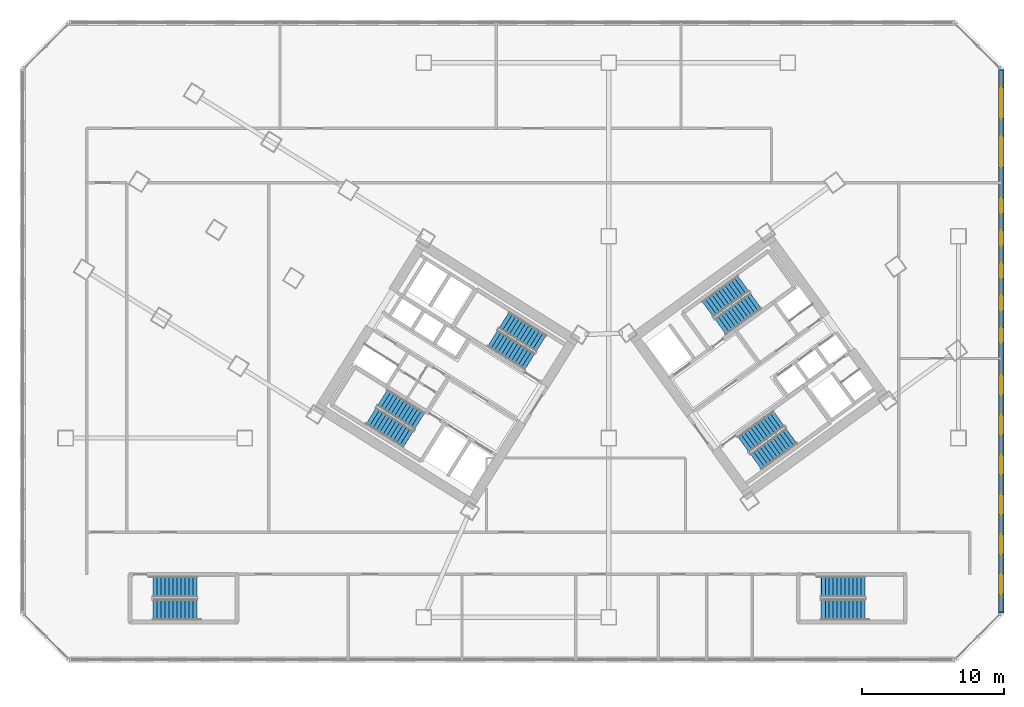
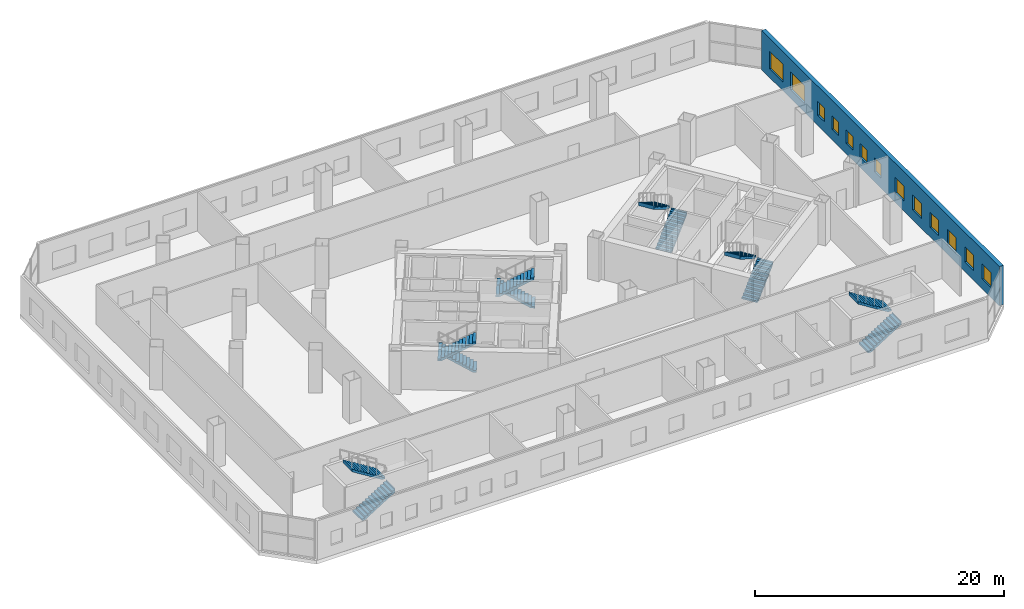
# One storey, part 15 of 22: 13 windows, 12 stair flights, 1 wall, 13 openings, 6 elements without a shape of their own.
"""IFC4 building model written with IfcOpenShell, lengths in metres."""

from ifc_helpers import new_model, si_unit, direction, frame, frame_2d, origin, place, context, subcontext, project, spatial, polyline, rectangle, outline, extrude, source, transform, mapped, material, layer, layer_set, type_object, element, fill, aggregate, save


model = new_model("IFC4")

# Units and contexts
model_context = context("Model", 3, precision=1e-05, world=origin(), true_north=direction((0.0, 1.0)))
body_context = subcontext(model_context, "Body", "Model", "MODEL_VIEW")
ifc_project = project(units=[si_unit("LENGTHUNIT", "METRE"), si_unit("AREAUNIT", "SQUARE_METRE"), si_unit("VOLUMEUNIT", "CUBIC_METRE"), si_unit("PLANEANGLEUNIT", "RADIAN"), si_unit("MASSUNIT", "GRAM", prefix="KILO")], contexts=[model_context])

# Site, building, storey
site_placement = place(None, origin())
site = spatial("IfcSite", under=ifc_project, at=site_placement, CompositionType="ELEMENT")
building_placement = place(site_placement, origin())
building = spatial("IfcBuilding", under=site, at=building_placement, Name="Tlacorven Tower", CompositionType="ELEMENT")
storey_placement = place(building_placement, frame((0.0, 0.0, 14.39990234375)))
storey = spatial("IfcBuildingStorey", under=building, at=storey_placement, Name="L03", CompositionType="ELEMENT", Elevation=14.39990234375)

# Wall, openings, windows
ifc_material_1 = material(Name="Precast concrete C45/55", Category="concrete")
ifc_layer = layer(ifc_material_1, 0.3798828125)
ifc_layer_set = layer_set([ifc_layer], Name="Precast concrete C45/55")
wall_type = type_object("IfcWallType", Name="WL-EXT-380", PredefinedType="STANDARD", material=ifc_layer_set)
wall_placement = place(storey_placement, frame((70.39990234375, 43.1171875, 0.0), z_axis=(0.0, 0.0, 1.0), x_axis=(0.0, -1.0, 0.0)))
wall = element("IfcWall", 1, at=wall_placement, inside=storey, type_object=wall_type, Name="L03 Podium Masonry-Frame Facade Wall 6", PredefinedType="STANDARD", context=body_context, shape_type="SweptSolid", body=[
    extrude(rectangle(XDim=38.234375, YDim=0.3798828125, at=frame_2d((19.1171875, 0.0))), origin(), (0.0, 0.0, 1.0), 3.85009765625),
])
opening_1_placement = place(wall_placement, frame((1.25927734375, 0.0, 0.85009765625)))
opening_1 = element("IfcOpeningElement", 2, at=opening_1_placement, cuts=wall, Name="Opening WN14", PredefinedType="OPENING", context=body_context, shape_type="SweptSolid", body=[
    extrude(rectangle(XDim=2.199951171875, YDim=1.75, at=frame_2d((1.10009765625, 0.875))), frame((0.0, 0.199951171875, 0.0), z_axis=(0.0, -1.0, 0.0), x_axis=(1.0, 0.0, 0.0)), (0.0, 0.0, 1.0), 0.39990234375),
])
opening_2_placement = place(wall_placement, frame((4.677978515625, 0.0, 0.85009765625)))
opening_2 = element("IfcOpeningElement", 3, at=opening_2_placement, cuts=wall, Name="Opening WN14", PredefinedType="OPENING", context=body_context, shape_type="SweptSolid", body=[
    extrude(rectangle(XDim=2.199951171875, YDim=1.75, at=frame_2d((1.10009765625, 0.875))), frame((0.0, 0.199951171875, 0.0), z_axis=(0.0, -1.0, 0.0), x_axis=(1.0, 0.0, 0.0)), (0.0, 0.0, 1.0), 0.39990234375),
])
opening_3_placement = place(wall_placement, frame((9.0361328125, 0.0, 1.0)))
opening_3 = element("IfcOpeningElement", 4, at=opening_3_placement, cuts=wall, Name="Opening WN16", PredefinedType="OPENING", context=body_context, shape_type="SweptSolid", body=[
    extrude(rectangle(XDim=1.10009765625, YDim=1.35009765625, at=frame_2d((0.550048828125, 0.675048828125))), frame((0.0, 0.199951171875, 0.0), z_axis=(0.0, -1.0, 0.0), x_axis=(1.0, 0.0, 0.0)), (0.0, 0.0, 1.0), 0.39990234375),
])
opening_4_placement = place(wall_placement, frame((11.314208984375, 0.0, 1.0)))
opening_4 = element("IfcOpeningElement", 5, at=opening_4_placement, cuts=wall, Name="Opening WN16", PredefinedType="OPENING", context=body_context, shape_type="SweptSolid", body=[
    extrude(rectangle(XDim=1.10009765625, YDim=1.35009765625, at=frame_2d((0.550048828125, 0.675048828125))), frame((0.0, 0.199951171875, 0.0), z_axis=(0.0, -1.0, 0.0), x_axis=(1.0, 0.0, 0.0)), (0.0, 0.0, 1.0), 0.39990234375),
])
opening_5_placement = place(wall_placement, frame((13.59228515625, 0.0, 1.0)))
opening_5 = element("IfcOpeningElement", 6, at=opening_5_placement, cuts=wall, Name="Opening WN16", PredefinedType="OPENING", context=body_context, shape_type="SweptSolid", body=[
    extrude(rectangle(XDim=1.10009765625, YDim=1.35009765625, at=frame_2d((0.550048828125, 0.675048828125))), frame((0.0, 0.199951171875, 0.0), z_axis=(0.0, -1.0, 0.0), x_axis=(1.0, 0.0, 0.0)), (0.0, 0.0, 1.0), 0.39990234375),
])
opening_6_placement = place(wall_placement, frame((15.8701171875, 0.0, 1.0)))
opening_6 = element("IfcOpeningElement", 7, at=opening_6_placement, cuts=wall, Name="Opening WN16", PredefinedType="OPENING", context=body_context, shape_type="SweptSolid", body=[
    extrude(rectangle(XDim=1.10009765625, YDim=1.35009765625, at=frame_2d((0.550048828125, 0.675048828125))), frame((0.0, 0.199951171875, 0.0), z_axis=(0.0, -1.0, 0.0), x_axis=(1.0, 0.0, 0.0)), (0.0, 0.0, 1.0), 0.39990234375),
])
opening_7_placement = place(wall_placement, frame((18.148193359375, 0.0, 1.0)))
opening_7 = element("IfcOpeningElement", 8, at=opening_7_placement, cuts=wall, Name="Opening WN16", PredefinedType="OPENING", context=body_context, shape_type="SweptSolid", body=[
    extrude(rectangle(XDim=1.10009765625, YDim=1.35009765625, at=frame_2d((0.550048828125, 0.675048828125))), frame((0.0, 0.199951171875, 0.0), z_axis=(0.0, -1.0, 0.0), x_axis=(1.0, 0.0, 0.0)), (0.0, 0.0, 1.0), 0.39990234375),
])
opening_8_placement = place(wall_placement, frame((21.49609375, 0.0, 0.949951171875)))
opening_8 = element("IfcOpeningElement", 9, at=opening_8_placement, cuts=wall, Name="Opening WN15", PredefinedType="OPENING", context=body_context, shape_type="SweptSolid", body=[
    extrude(rectangle(XDim=1.39990234375, YDim=1.5, at=frame_2d((0.699951171875, 0.75))), frame((0.0, 0.199951171875, 0.0), z_axis=(0.0, -1.0, 0.0), x_axis=(1.0, 0.0, 0.0)), (0.0, 0.0, 1.0), 0.39990234375),
])
opening_9_placement = place(wall_placement, frame((24.2939453125, 0.0, 0.949951171875)))
opening_9 = element("IfcOpeningElement", 10, at=opening_9_placement, cuts=wall, Name="Opening WN15", PredefinedType="OPENING", context=body_context, shape_type="SweptSolid", body=[
    extrude(rectangle(XDim=1.39990234375, YDim=1.5, at=frame_2d((0.699951171875, 0.75))), frame((0.0, 0.199951171875, 0.0), z_axis=(0.0, -1.0, 0.0), x_axis=(1.0, 0.0, 0.0)), (0.0, 0.0, 1.0), 0.39990234375),
])
opening_10_placement = place(wall_placement, frame((27.091796875, 0.0, 0.949951171875)))
opening_10 = element("IfcOpeningElement", 11, at=opening_10_placement, cuts=wall, Name="Opening WN15", PredefinedType="OPENING", context=body_context, shape_type="SweptSolid", body=[
    extrude(rectangle(XDim=1.39990234375, YDim=1.5, at=frame_2d((0.699951171875, 0.75))), frame((0.0, 0.199951171875, 0.0), z_axis=(0.0, -1.0, 0.0), x_axis=(1.0, 0.0, 0.0)), (0.0, 0.0, 1.0), 0.39990234375),
])
opening_11_placement = place(wall_placement, frame((29.8896484375, 0.0, 0.949951171875)))
opening_11 = element("IfcOpeningElement", 12, at=opening_11_placement, cuts=wall, Name="Opening WN15", PredefinedType="OPENING", context=body_context, shape_type="SweptSolid", body=[
    extrude(rectangle(XDim=1.39990234375, YDim=1.5, at=frame_2d((0.699951171875, 0.75))), frame((0.0, 0.199951171875, 0.0), z_axis=(0.0, -1.0, 0.0), x_axis=(1.0, 0.0, 0.0)), (0.0, 0.0, 1.0), 0.39990234375),
])
opening_12_placement = place(wall_placement, frame((32.6875, 0.0, 0.949951171875)))
opening_12 = element("IfcOpeningElement", 13, at=opening_12_placement, cuts=wall, Name="Opening WN15", PredefinedType="OPENING", context=body_context, shape_type="SweptSolid", body=[
    extrude(rectangle(XDim=1.39990234375, YDim=1.5, at=frame_2d((0.699951171875, 0.75))), frame((0.0, 0.199951171875, 0.0), z_axis=(0.0, -1.0, 0.0), x_axis=(1.0, 0.0, 0.0)), (0.0, 0.0, 1.0), 0.39990234375),
])
opening_13_placement = place(wall_placement, frame((35.4853515625, 0.0, 0.949951171875)))
opening_13 = element("IfcOpeningElement", 14, at=opening_13_placement, cuts=wall, Name="Opening WN15", PredefinedType="OPENING", context=body_context, shape_type="SweptSolid", body=[
    extrude(rectangle(XDim=1.39990234375, YDim=1.5, at=frame_2d((0.699951171875, 0.75))), frame((0.0, 0.199951171875, 0.0), z_axis=(0.0, -1.0, 0.0), x_axis=(1.0, 0.0, 0.0)), (0.0, 0.0, 1.0), 0.39990234375),
])
ifc_material_2 = material(Name="Dark solar low-E double glazing in anodised aluminium frame", Category="aluminium")
window_type_1 = type_object("IfcWindowType", Name="WN-CLN-2200X1850", PartitioningType="SINGLE_PANEL", PredefinedType="WINDOW", material=ifc_material_2)
shared_shape_1 = source(origin(), body_context, "Body", "SweptSolid", [
    extrude(rectangle(XDim=2.199951171875, YDim=1.75, at=frame_2d((1.10009765625, 0.875))), frame((0.0, 0.030029296875, 0.0), z_axis=(0.0, -1.0, 0.0), x_axis=(1.0, 0.0, 0.0)), (0.0, 0.0, 1.0), 0.06005859375),
])
window_1_placement = place(opening_1_placement, origin())
window_1 = element("IfcWindow", 15, at=window_1_placement, inside=storey, type_object=window_type_1, Name="L03 Podium Recessed Facade Window 6.1", OverallHeight=1.75, OverallWidth=2.199951171875, PartitioningType="SINGLE_PANEL", PredefinedType="WINDOW", context=body_context, shape_type="MappedRepresentation", body=[
    mapped(shared_shape_1, transform((0.0, 0.0, 0.0), scale=1.0)),
])
fill(opening_1, window_1)
window_2_placement = place(opening_2_placement, origin())
window_2 = element("IfcWindow", 16, at=window_2_placement, inside=storey, type_object=window_type_1, Name="L03 Podium Recessed Facade Window 6.2", OverallHeight=1.75, OverallWidth=2.199951171875, PartitioningType="SINGLE_PANEL", PredefinedType="WINDOW", context=body_context, shape_type="MappedRepresentation", body=[
    mapped(shared_shape_1, transform((0.0, 0.0, 0.0), scale=1.0)),
])
fill(opening_2, window_2)
window_type_2 = type_object("IfcWindowType", Name="WN-CLN-1100X1400", PartitioningType="SINGLE_PANEL", PredefinedType="WINDOW", material=ifc_material_2)
shared_shape_2 = source(origin(), body_context, "Body", "SweptSolid", [
    extrude(rectangle(XDim=1.10009765625, YDim=1.35009765625, at=frame_2d((0.550048828125, 0.675048828125))), frame((0.0, 0.030029296875, 0.0), z_axis=(0.0, -1.0, 0.0), x_axis=(1.0, 0.0, 0.0)), (0.0, 0.0, 1.0), 0.06005859375),
])
window_3_placement = place(opening_3_placement, origin())
window_3 = element("IfcWindow", 17, at=window_3_placement, inside=storey, type_object=window_type_2, Name="L03 Podium Recessed Facade Window 6.3", OverallHeight=1.35009765625, OverallWidth=1.10009765625, PartitioningType="SINGLE_PANEL", PredefinedType="WINDOW", context=body_context, shape_type="MappedRepresentation", body=[
    mapped(shared_shape_2, transform((0.0, 0.0, 0.0), scale=1.0)),
])
fill(opening_3, window_3)
window_4_placement = place(opening_4_placement, origin())
window_4 = element("IfcWindow", 18, at=window_4_placement, inside=storey, type_object=window_type_2, Name="L03 Podium Recessed Facade Window 6.4", OverallHeight=1.35009765625, OverallWidth=1.10009765625, PartitioningType="SINGLE_PANEL", PredefinedType="WINDOW", context=body_context, shape_type="MappedRepresentation", body=[
    mapped(shared_shape_2, transform((0.0, 0.0, 0.0), scale=1.0)),
])
fill(opening_4, window_4)
window_5_placement = place(opening_5_placement, origin())
window_5 = element("IfcWindow", 19, at=window_5_placement, inside=storey, type_object=window_type_2, Name="L03 Podium Recessed Facade Window 6.5", OverallHeight=1.35009765625, OverallWidth=1.10009765625, PartitioningType="SINGLE_PANEL", PredefinedType="WINDOW", context=body_context, shape_type="MappedRepresentation", body=[
    mapped(shared_shape_2, transform((0.0, 0.0, 0.0), scale=1.0)),
])
fill(opening_5, window_5)
window_6_placement = place(opening_6_placement, origin())
window_6 = element("IfcWindow", 20, at=window_6_placement, inside=storey, type_object=window_type_2, Name="L03 Podium Recessed Facade Window 6.6", OverallHeight=1.35009765625, OverallWidth=1.10009765625, PartitioningType="SINGLE_PANEL", PredefinedType="WINDOW", context=body_context, shape_type="MappedRepresentation", body=[
    mapped(shared_shape_2, transform((0.0, 0.0, 0.0), scale=1.0)),
])
fill(opening_6, window_6)
window_7_placement = place(opening_7_placement, origin())
window_7 = element("IfcWindow", 21, at=window_7_placement, inside=storey, type_object=window_type_2, Name="L03 Podium Recessed Facade Window 6.7", OverallHeight=1.35009765625, OverallWidth=1.10009765625, PartitioningType="SINGLE_PANEL", PredefinedType="WINDOW", context=body_context, shape_type="MappedRepresentation", body=[
    mapped(shared_shape_2, transform((0.0, 0.0, 0.0), scale=1.0)),
])
fill(opening_7, window_7)
window_type_3 = type_object("IfcWindowType", Name="WN-CLN-1400X1600", PartitioningType="SINGLE_PANEL", PredefinedType="WINDOW", material=ifc_material_2)
shared_shape_3 = source(origin(), body_context, "Body", "SweptSolid", [
    extrude(rectangle(XDim=1.39990234375, YDim=1.5, at=frame_2d((0.699951171875, 0.75))), frame((0.0, 0.030029296875, 0.0), z_axis=(0.0, -1.0, 0.0), x_axis=(1.0, 0.0, 0.0)), (0.0, 0.0, 1.0), 0.06005859375),
])
window_8_placement = place(opening_8_placement, origin())
window_8 = element("IfcWindow", 22, at=window_8_placement, inside=storey, type_object=window_type_3, Name="L03 Podium Recessed Facade Window 6.8", OverallHeight=1.5, OverallWidth=1.39990234375, PartitioningType="SINGLE_PANEL", PredefinedType="WINDOW", context=body_context, shape_type="MappedRepresentation", body=[
    mapped(shared_shape_3, transform((0.0, 0.0, 0.0), scale=1.0)),
])
fill(opening_8, window_8)
window_9_placement = place(opening_9_placement, origin())
window_9 = element("IfcWindow", 23, at=window_9_placement, inside=storey, type_object=window_type_3, Name="L03 Podium Recessed Facade Window 6.9", OverallHeight=1.5, OverallWidth=1.39990234375, PartitioningType="SINGLE_PANEL", PredefinedType="WINDOW", context=body_context, shape_type="MappedRepresentation", body=[
    mapped(shared_shape_3, transform((0.0, 0.0, 0.0), scale=1.0)),
])
fill(opening_9, window_9)
window_10_placement = place(opening_10_placement, origin())
window_10 = element("IfcWindow", 24, at=window_10_placement, inside=storey, type_object=window_type_3, Name="L03 Podium Recessed Facade Window 6.10", OverallHeight=1.5, OverallWidth=1.39990234375, PartitioningType="SINGLE_PANEL", PredefinedType="WINDOW", context=body_context, shape_type="MappedRepresentation", body=[
    mapped(shared_shape_3, transform((0.0, 0.0, 0.0), scale=1.0)),
])
fill(opening_10, window_10)
window_11_placement = place(opening_11_placement, origin())
window_11 = element("IfcWindow", 25, at=window_11_placement, inside=storey, type_object=window_type_3, Name="L03 Podium Recessed Facade Window 6.11", OverallHeight=1.5, OverallWidth=1.39990234375, PartitioningType="SINGLE_PANEL", PredefinedType="WINDOW", context=body_context, shape_type="MappedRepresentation", body=[
    mapped(shared_shape_3, transform((0.0, 0.0, 0.0), scale=1.0)),
])
fill(opening_11, window_11)
window_12_placement = place(opening_12_placement, origin())
window_12 = element("IfcWindow", 26, at=window_12_placement, inside=storey, type_object=window_type_3, Name="L03 Podium Recessed Facade Window 6.12", OverallHeight=1.5, OverallWidth=1.39990234375, PartitioningType="SINGLE_PANEL", PredefinedType="WINDOW", context=body_context, shape_type="MappedRepresentation", body=[
    mapped(shared_shape_3, transform((0.0, 0.0, 0.0), scale=1.0)),
])
fill(opening_12, window_12)
window_13_placement = place(opening_13_placement, origin())
window_13 = element("IfcWindow", 27, at=window_13_placement, inside=storey, type_object=window_type_3, Name="L03 Podium Recessed Facade Window 6.13", OverallHeight=1.5, OverallWidth=1.39990234375, PartitioningType="SINGLE_PANEL", PredefinedType="WINDOW", context=body_context, shape_type="MappedRepresentation", body=[
    mapped(shared_shape_3, transform((0.0, 0.0, 0.0), scale=1.0)),
])
fill(opening_13, window_13)

# Stair, stair flights
ifc_material_3 = material(Name="Concrete C40/50", Category="concrete")
stair_type_1 = type_object("IfcStairType", Name="ST-CORE-DLG", PredefinedType="HALF_TURN_STAIR", material=ifc_material_3)
stair_1_placement = place(storey_placement, origin())
stair_1 = element("IfcStair", 28, at=stair_1_placement, inside=storey, type_object=stair_type_1, Name="L03 Protected Exit Stair West 1", PredefinedType="HALF_TURN_STAIR")
stair_flight_type_1 = type_object("IfcStairFlightType", Name="SFL-RC-1380", PredefinedType="STRAIGHT", material=ifc_material_3)
shared_shape_4 = source(origin(), body_context, "Body", "SweptSolid", [
    extrude(outline(polyline([(-0.0029296875, -0.0029296875), (-0.0029296875, 0.175048828125), (0.280029296875, 0.175048828125), (0.280029296875, 0.35009765625), (0.56005859375, 0.35009765625), (0.56005859375, 0.52490234375), (0.840087890625, 0.52490234375), (0.840087890625, 0.699951171875), (1.1201171875, 0.699951171875), (1.1201171875, 0.875), (1.39990234375, 0.875), (1.39990234375, 1.050048828125), (1.679931640625, 1.050048828125), (1.679931640625, 1.22509765625), (1.9599609375, 1.22509765625), (1.9599609375, 1.39990234375), (2.239990234375, 1.39990234375), (2.239990234375, 1.574951171875), (2.52001953125, 1.574951171875), (2.52001953125, 1.75), (2.800048828125, 1.75), (2.800048828125, 1.925048828125), (3.080078125, 1.925048828125), (3.080078125, 2.10009765625), (3.0830078125, 2.10009765625), (3.0830078125, 1.736328125), (3.080078125, 1.736328125), (0.3017578125, 0.0), (0.3017578125, -0.0029296875), (-0.0029296875, -0.0029296875)])), frame((0.0, 0.68994140625, 0.0), z_axis=(0.0, -1.0, 0.0), x_axis=(1.0, 0.0, 0.0)), (0.0, 0.0, 1.0), 1.3798828125),
])
stair_flight_1_placement = place(storey_placement, frame((29.499755859375, 18.39453125, 0.0), z_axis=(0.0, 0.0, 1.0), x_axis=(-0.848048096156, 0.529919264233, 0.0)))
stair_flight_1 = element("IfcStairFlight", 29, at=stair_flight_1_placement, type_object=stair_flight_type_1, Name="ST-W1 flight 1", NumberOfRisers=12, NumberOfTreads=11, PredefinedType="STRAIGHT", RiserHeight=0.175, TreadLength=0.28, context=body_context, shape_type="MappedRepresentation", body=[
    mapped(shared_shape_4, transform((0.0, 0.0, 0.0), scale=1.0)),
])
stair_flight_2_placement = place(storey_placement, frame((26.093017578125, 18.754638671875, 2.10009765625), z_axis=(0.0, 0.0, 1.0), x_axis=(0.848048096156, -0.529919264233, 0.0)))
stair_flight_2 = element("IfcStairFlight", 30, at=stair_flight_2_placement, type_object=stair_flight_type_1, Name="ST-W1 flight 2", NumberOfRisers=12, NumberOfTreads=11, PredefinedType="STRAIGHT", RiserHeight=0.175, TreadLength=0.28, context=body_context, shape_type="MappedRepresentation", body=[
    mapped(shared_shape_4, transform((0.0, 0.0, 0.0), scale=1.0)),
])
aggregate(stair_1, [stair_flight_1, stair_flight_2])

stair_2_placement = place(storey_placement, origin())
stair_2 = element("IfcStair", 31, at=stair_2_placement, inside=storey, type_object=stair_type_1, Name="L03 Protected Exit Stair West 2", PredefinedType="HALF_TURN_STAIR")
stair_flight_3_placement = place(storey_placement, frame((38.051513671875, 23.852294921875, 0.0), z_axis=(0.0, 0.0, 1.0), x_axis=(-0.848048096156, 0.529919264233, 0.0)))
stair_flight_3 = element("IfcStairFlight", 32, at=stair_flight_3_placement, type_object=stair_flight_type_1, Name="ST-W2 flight 1", NumberOfRisers=12, NumberOfTreads=11, PredefinedType="STRAIGHT", RiserHeight=0.175, TreadLength=0.28, context=body_context, shape_type="MappedRepresentation", body=[
    mapped(shared_shape_4, transform((0.0, 0.0, 0.0), scale=1.0)),
])
stair_flight_4_placement = place(storey_placement, frame((34.64453125, 24.21240234375, 2.10009765625), z_axis=(0.0, 0.0, 1.0), x_axis=(0.848048096156, -0.529919264233, 0.0)))
stair_flight_4 = element("IfcStairFlight", 33, at=stair_flight_4_placement, type_object=stair_flight_type_1, Name="ST-W2 flight 2", NumberOfRisers=12, NumberOfTreads=11, PredefinedType="STRAIGHT", RiserHeight=0.175, TreadLength=0.28, context=body_context, shape_type="MappedRepresentation", body=[
    mapped(shared_shape_4, transform((0.0, 0.0, 0.0), scale=1.0)),
])
aggregate(stair_2, [stair_flight_3, stair_flight_4])

stair_3_placement = place(storey_placement, origin())
stair_3 = element("IfcStair", 34, at=stair_3_placement, inside=storey, type_object=stair_type_1, Name="L03 Protected Exit Stair East 1", PredefinedType="HALF_TURN_STAIR")
stair_flight_5_placement = place(storey_placement, frame((50.6533203125, 25.0400390625, 0.0), z_axis=(0.0, 0.0, 1.0), x_axis=(0.809016994375, 0.587785252292, 0.0)))
stair_flight_5 = element("IfcStairFlight", 35, at=stair_flight_5_placement, type_object=stair_flight_type_1, Name="ST-E1 flight 1", NumberOfRisers=12, NumberOfTreads=11, PredefinedType="STRAIGHT", RiserHeight=0.175, TreadLength=0.28, context=body_context, shape_type="MappedRepresentation", body=[
    mapped(shared_shape_4, transform((0.0, 0.0, 0.0), scale=1.0)),
])
stair_flight_6_placement = place(storey_placement, frame((52.263427734375, 28.06396484375, 2.10009765625), z_axis=(0.0, 0.0, 1.0), x_axis=(-0.809016994375, -0.587785252292, 0.0)))
stair_flight_6 = element("IfcStairFlight", 36, at=stair_flight_6_placement, type_object=stair_flight_type_1, Name="ST-E1 flight 2", NumberOfRisers=12, NumberOfTreads=11, PredefinedType="STRAIGHT", RiserHeight=0.175, TreadLength=0.28, context=body_context, shape_type="MappedRepresentation", body=[
    mapped(shared_shape_4, transform((0.0, 0.0, 0.0), scale=1.0)),
])
aggregate(stair_3, [stair_flight_5, stair_flight_6])

stair_4_placement = place(storey_placement, origin())
stair_4 = element("IfcStair", 37, at=stair_4_placement, inside=storey, type_object=stair_type_1, Name="L03 Protected Exit Stair East 2", PredefinedType="HALF_TURN_STAIR")
stair_flight_7_placement = place(storey_placement, frame((53.157470703125, 15.536865234375, 0.0), z_axis=(0.0, 0.0, 1.0), x_axis=(0.809016994375, 0.587785252292, 0.0)))
stair_flight_7 = element("IfcStairFlight", 38, at=stair_flight_7_placement, type_object=stair_flight_type_1, Name="ST-E2 flight 1", NumberOfRisers=12, NumberOfTreads=11, PredefinedType="STRAIGHT", RiserHeight=0.175, TreadLength=0.28, context=body_context, shape_type="MappedRepresentation", body=[
    mapped(shared_shape_4, transform((0.0, 0.0, 0.0), scale=1.0)),
])
stair_flight_8_placement = place(storey_placement, frame((54.767578125, 18.560791015625, 2.10009765625), z_axis=(0.0, 0.0, 1.0), x_axis=(-0.809016994375, -0.587785252292, 0.0)))
stair_flight_8 = element("IfcStairFlight", 39, at=stair_flight_8_placement, type_object=stair_flight_type_1, Name="ST-E2 flight 2", NumberOfRisers=12, NumberOfTreads=11, PredefinedType="STRAIGHT", RiserHeight=0.175, TreadLength=0.28, context=body_context, shape_type="MappedRepresentation", body=[
    mapped(shared_shape_4, transform((0.0, 0.0, 0.0), scale=1.0)),
])
aggregate(stair_4, [stair_flight_7, stair_flight_8])

stair_type_2 = type_object("IfcStairType", Name="ST-POD-DLG", PredefinedType="HALF_TURN_STAIR", material=ifc_material_3)
stair_5_placement = place(storey_placement, origin())
stair_5 = element("IfcStair", 40, at=stair_5_placement, inside=storey, type_object=stair_type_2, Name="L03 Podium Station Exit Stair 1", PredefinedType="HALF_TURN_STAIR")
stair_flight_type_2 = type_object("IfcStairFlightType", Name="SFL-RC-1480", PredefinedType="STRAIGHT", material=ifc_material_3)
shared_shape_5 = source(origin(), body_context, "Body", "SweptSolid", [
    extrude(outline(polyline([(-0.0029296875, -0.0029296875), (-0.0029296875, 0.175048828125), (0.280029296875, 0.175048828125), (0.280029296875, 0.35009765625), (0.56005859375, 0.35009765625), (0.56005859375, 0.52490234375), (0.840087890625, 0.52490234375), (0.840087890625, 0.699951171875), (1.1201171875, 0.699951171875), (1.1201171875, 0.875), (1.39990234375, 0.875), (1.39990234375, 1.050048828125), (1.679931640625, 1.050048828125), (1.679931640625, 1.22509765625), (1.9599609375, 1.22509765625), (1.9599609375, 1.39990234375), (2.239990234375, 1.39990234375), (2.239990234375, 1.574951171875), (2.52001953125, 1.574951171875), (2.52001953125, 1.75), (2.800048828125, 1.75), (2.800048828125, 1.925048828125), (3.080078125, 1.925048828125), (3.080078125, 2.10009765625), (3.0830078125, 2.10009765625), (3.0830078125, 1.736328125), (3.080078125, 1.736328125), (0.3017578125, 0.0), (0.3017578125, -0.0029296875), (-0.0029296875, -0.0029296875)])), frame((0.0, 0.739990234375, 0.0), z_axis=(0.0, -1.0, 0.0), x_axis=(1.0, 0.0, 0.0)), (0.0, 0.0, 1.0), 1.47998046875),
])
stair_flight_9_placement = place(storey_placement, frame((10.75, 5.139892578125, 0.0), z_axis=(0.0, 0.0, 1.0), x_axis=(1.0, 0.0, 0.0)))
stair_flight_9 = element("IfcStairFlight", 41, at=stair_flight_9_placement, type_object=stair_flight_type_2, Name="ST-P1 flight 1", NumberOfRisers=12, NumberOfTreads=11, PredefinedType="STRAIGHT", RiserHeight=0.175, TreadLength=0.28, context=body_context, shape_type="MappedRepresentation", body=[
    mapped(shared_shape_5, transform((0.0, 0.0, 0.0), scale=1.0)),
])
stair_flight_10_placement = place(storey_placement, frame((13.830078125, 6.739990234375, 2.10009765625), z_axis=(0.0, 0.0, 1.0), x_axis=(-1.0, 0.0, 0.0)))
stair_flight_10 = element("IfcStairFlight", 42, at=stair_flight_10_placement, type_object=stair_flight_type_2, Name="ST-P1 flight 2", NumberOfRisers=12, NumberOfTreads=11, PredefinedType="STRAIGHT", RiserHeight=0.175, TreadLength=0.28, context=body_context, shape_type="MappedRepresentation", body=[
    mapped(shared_shape_5, transform((0.0, 0.0, 0.0), scale=1.0)),
])
aggregate(stair_5, [stair_flight_9, stair_flight_10])

stair_6_placement = place(storey_placement, origin())
stair_6 = element("IfcStair", 43, at=stair_6_placement, inside=storey, type_object=stair_type_2, Name="L03 Podium Station Exit Stair 2", PredefinedType="HALF_TURN_STAIR")
stair_flight_11_placement = place(storey_placement, frame((57.75, 5.139892578125, 0.0), z_axis=(0.0, 0.0, 1.0), x_axis=(1.0, 0.0, 0.0)))
stair_flight_11 = element("IfcStairFlight", 44, at=stair_flight_11_placement, type_object=stair_flight_type_2, Name="ST-P2 flight 1", NumberOfRisers=12, NumberOfTreads=11, PredefinedType="STRAIGHT", RiserHeight=0.175, TreadLength=0.28, context=body_context, shape_type="MappedRepresentation", body=[
    mapped(shared_shape_5, transform((0.0, 0.0, 0.0), scale=1.0)),
])
stair_flight_12_placement = place(storey_placement, frame((60.830078125, 6.739990234375, 2.10009765625), z_axis=(0.0, 0.0, 1.0), x_axis=(-1.0, 0.0, 0.0)))
stair_flight_12 = element("IfcStairFlight", 45, at=stair_flight_12_placement, type_object=stair_flight_type_2, Name="ST-P2 flight 2", NumberOfRisers=12, NumberOfTreads=11, PredefinedType="STRAIGHT", RiserHeight=0.175, TreadLength=0.28, context=body_context, shape_type="MappedRepresentation", body=[
    mapped(shared_shape_5, transform((0.0, 0.0, 0.0), scale=1.0)),
])
aggregate(stair_6, [stair_flight_11, stair_flight_12])

save(model, "model.ifc")
